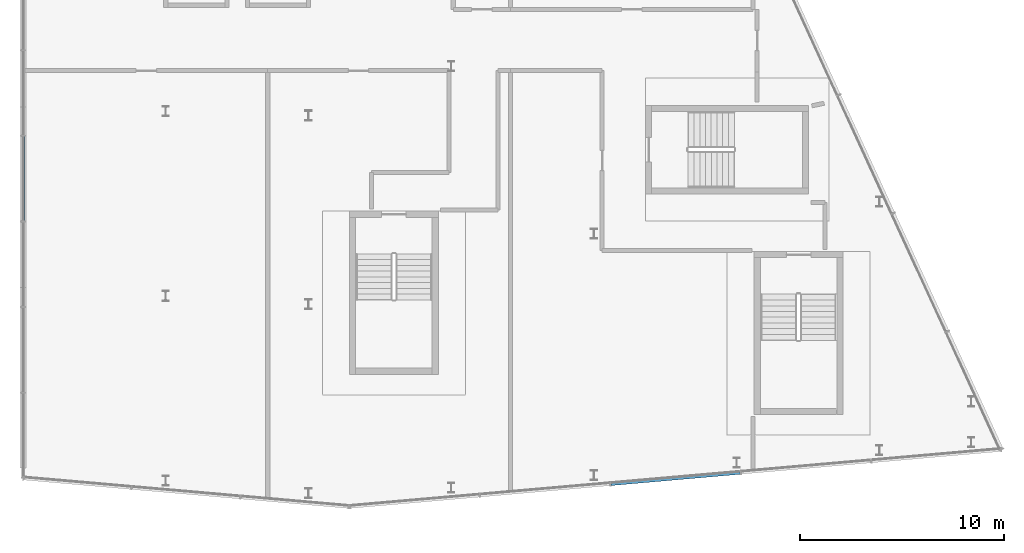
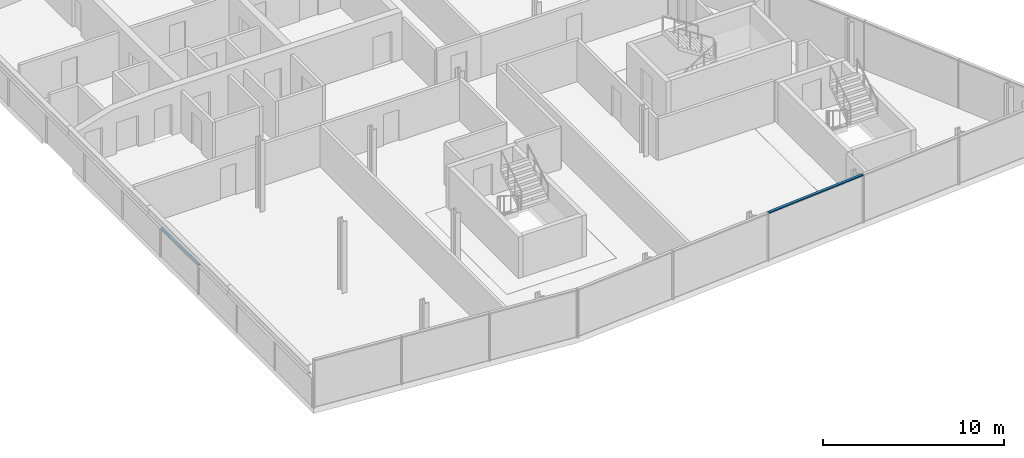
# One storey, part 3 of 13: 2 members, 2 elements without a shape of their own.
"""IFC4 building model written with IfcOpenShell, lengths in metres."""

from ifc_helpers import new_model, si_unit, direction, frame, origin, origin_2d, place, context, subcontext, project, spatial, rectangle, extrude, material, material_profile, profile_set, type_object, element, aggregate, save


model = new_model("IFC4")

# Units and contexts
model_context = context("Model", 3, precision=1e-05, world=origin(), true_north=direction((0.0, 1.0)))
body_context = subcontext(model_context, "Body", "Model", "MODEL_VIEW")
ifc_project = project(units=[si_unit("LENGTHUNIT", "METRE"), si_unit("AREAUNIT", "SQUARE_METRE"), si_unit("VOLUMEUNIT", "CUBIC_METRE"), si_unit("PLANEANGLEUNIT", "RADIAN"), si_unit("MASSUNIT", "GRAM", prefix="KILO")], contexts=[model_context])

# Site, building, storey
site_placement = place(None, origin())
site = spatial("IfcSite", under=ifc_project, at=site_placement, CompositionType="ELEMENT")
building_placement = place(site_placement, origin())
building = spatial("IfcBuilding", under=site, at=building_placement, Name="Wharfspan Tower", CompositionType="ELEMENT")
storey_placement = place(building_placement, frame((0.0, 0.0, 264.300049)))
storey = spatial("IfcBuildingStorey", under=building, at=storey_placement, Name="L67", CompositionType="ELEMENT", Elevation=264.300049)

# Curtain wall, member
ifc_material = material(Name="Aluminium 6063-T6", Category="aluminium")
curtain_wall_type_1 = type_object("IfcCurtainWallType", Name="CURTAIN WALL CROWN GABLE", PredefinedType="NOTDEFINED", material=ifc_material)
curtain_wall_1_placement = place(storey_placement, origin())
curtain_wall_1 = element("IfcCurtainWall", 1, at=curtain_wall_1_placement, inside=storey, type_object=curtain_wall_type_1, Name="Crown gable glazing", PredefinedType="NOTDEFINED")
ifc_material_profile_1 = material_profile(ifc_material, rectangle(XDim=0.139893, YDim=0.070068, at=origin_2d()))
ifc_profile_set_1 = profile_set([ifc_material_profile_1], Name="Aluminium 6063-T6")
member_type_1 = type_object("IfcMemberType", Name="TRANSOM CROWN GABLE 70x140", PredefinedType="USERDEFINED", material=ifc_profile_set_1)
member_1_placement = place(storey_placement, frame((30.0, 20.030029, 1.953613), z_axis=(0.0, 1.0, 0.0), x_axis=(-1.0, 0.0, 0.0)))
member_1 = element("IfcMember", 2, at=member_1_placement, type_object=member_type_1, Name="Crown gable glazing transom 4", ObjectType="TRANSOM", PredefinedType="USERDEFINED", context=body_context, shape_type="SweptSolid", body=[
    extrude(rectangle(XDim=0.139893, YDim=0.070068, at=origin_2d()), origin(), (0.0, 0.0, 1.0), 4.139893),
])
aggregate(curtain_wall_1, [member_1])

curtain_wall_type_2 = type_object("IfcCurtainWallType", Name="CURTAIN WALL FACETED FRONT", PredefinedType="NOTDEFINED", material=ifc_material)
curtain_wall_2_placement = place(storey_placement, origin())
curtain_wall_2 = element("IfcCurtainWall", 3, at=curtain_wall_2_placement, inside=storey, type_object=curtain_wall_type_2, Name="Crown curtain wall S2", PredefinedType="NOTDEFINED")
ifc_material_profile_2 = material_profile(ifc_material, rectangle(XDim=0.159912, YDim=0.080078, at=origin_2d()))
ifc_profile_set_2 = profile_set([ifc_material_profile_2], Name="Aluminium 6063-T6")
member_type_2 = type_object("IfcMemberType", Name="TRANSOM FACETED FRONT 80x160", PredefinedType="USERDEFINED", material=ifc_profile_set_2)
member_2_placement = place(storey_placement, frame((58.829834, 7.122803, 3.224365), z_axis=(0.996195, 0.087153, 0.0), x_axis=(-0.087153, 0.996195, 0.0)))
member_2 = element("IfcMember", 4, at=member_2_placement, type_object=member_type_2, Name="Crown curtain wall S2 transom 3", ObjectType="TRANSOM", PredefinedType="USERDEFINED", context=body_context, shape_type="SweptSolid", body=[
    extrude(rectangle(XDim=0.159912, YDim=0.080078, at=origin_2d()), origin(), (0.0, 0.0, 1.0), 6.364502),
])
aggregate(curtain_wall_2, [member_2])

save(model, "model.ifc")
